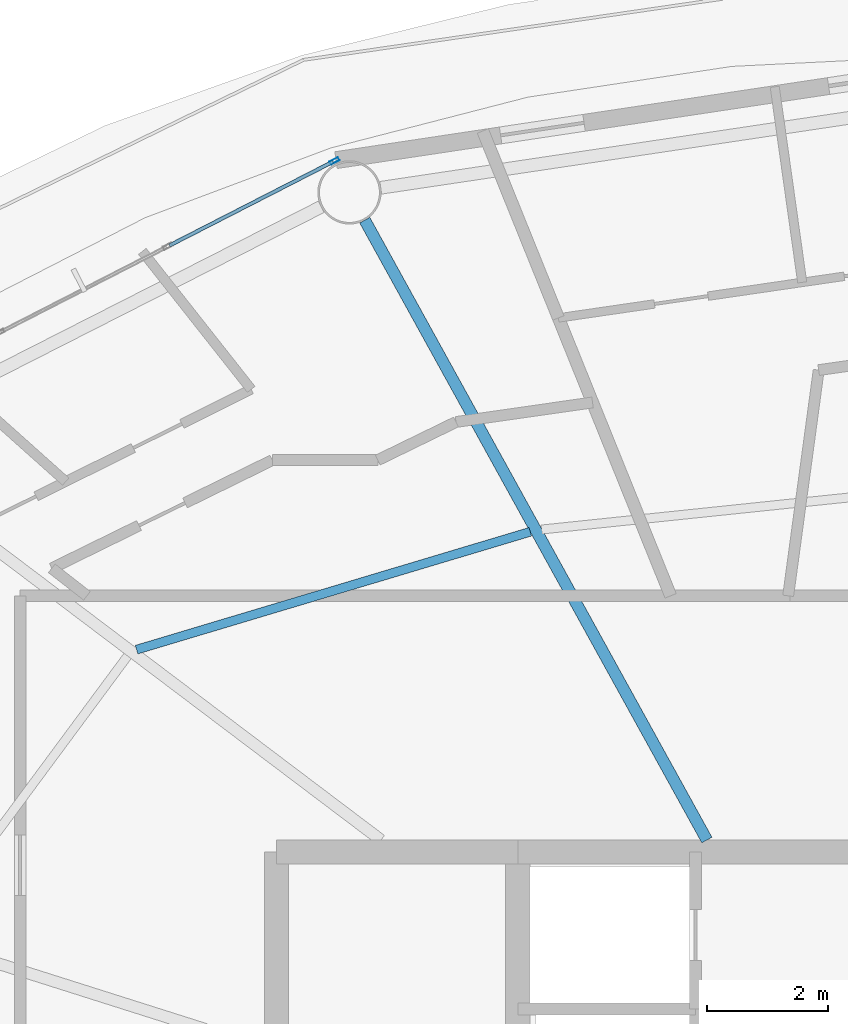
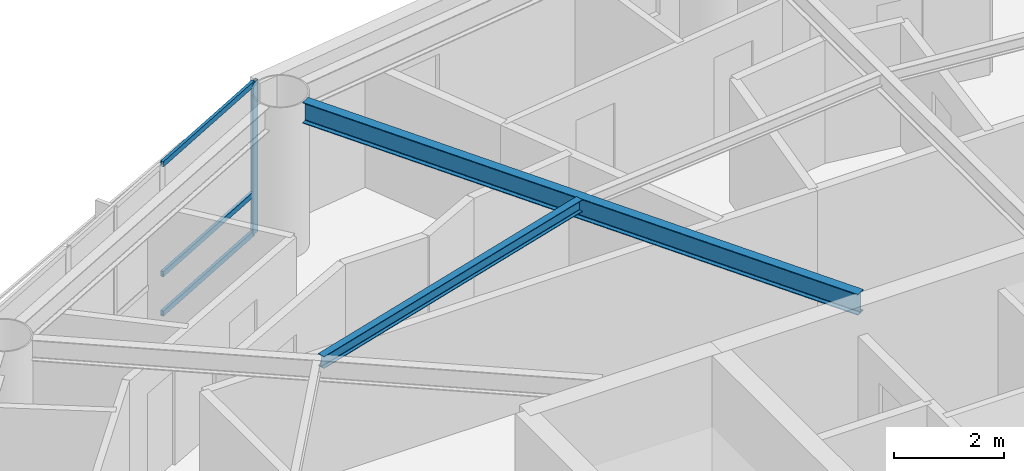
# One storey, part 9 of 23: 4 members, 2 beams, 1 element without a shape of its own.
"""IFC4 building model written with IfcOpenShell, lengths in metres."""

from ifc_helpers import new_model, si_unit, direction, frame, origin, origin_2d, place, context, subcontext, project, spatial, hollow_rectangle, i_section, extrude, material, layer, layer_set, material_profile, profile_set, type_object, element, aggregate, save


model = new_model("IFC4")

# Units and contexts
model_context = context("Model", 3, precision=1e-05, world=origin(), true_north=direction((0.0, 1.0)))
body_context = subcontext(model_context, "Body", "Model", "MODEL_VIEW")
ifc_project = project(units=[si_unit("LENGTHUNIT", "METRE"), si_unit("AREAUNIT", "SQUARE_METRE"), si_unit("VOLUMEUNIT", "CUBIC_METRE"), si_unit("PLANEANGLEUNIT", "RADIAN"), si_unit("MASSUNIT", "GRAM", prefix="KILO")], contexts=[model_context])

# Site, building, storey
site_placement = place(None, origin())
site = spatial("IfcSite", under=ifc_project, at=site_placement, CompositionType="ELEMENT")
building_placement = place(site_placement, origin())
building = spatial("IfcBuilding", under=site, at=building_placement, Name="Sarneth Arch Tower", CompositionType="ELEMENT")
storey_placement = place(building_placement, frame((0.0, 0.0, 235.199951171875)))
storey = spatial("IfcBuildingStorey", under=building, at=storey_placement, Name="L60", CompositionType="ELEMENT", Elevation=235.199951171875)

# Beams
ifc_material_1 = material(Name="Steel S355", Category="steel")
ifc_material_profile_1 = material_profile(ifc_material_1, i_section(OverallWidth=0.14794921875, OverallDepth=0.26611328125, WebThickness=0.007568359375, FlangeThickness=0.012939453125, FilletRadius=0.012939453125, at=origin_2d()), Name="W250x44.8")
ifc_profile_set_1 = profile_set([ifc_material_profile_1], Name="Steel S355")
beam_type_1 = type_object("IfcBeamType", Name="BM-JOIST-250", PredefinedType="JOIST", material=ifc_profile_set_1)
beam_1_placement = place(storey_placement, frame((41.20751953125, 54.11181640625, 3.22705078125), z_axis=(-0.957984908347, -0.286818610589, 0.0), x_axis=(0.286818610589, -0.957984908347, 0.0)))
element("IfcBeam", 1, at=beam_1_placement, inside=storey, type_object=beam_type_1, Name="L60 Secondary floor joist 06", PredefinedType="JOIST", context=body_context, shape_type="SweptSolid", body=[
    extrude(i_section(OverallWidth=0.14794921875, OverallDepth=0.26611328125, WebThickness=0.007568359375, FlangeThickness=0.012939453125, FilletRadius=0.012939453125, at=origin_2d()), origin(), (0.0, 0.0, 1.0), 6.81396484375),
])
ifc_material_2 = material(Name="Steel S355", Category="steel")
ifc_material_profile_2 = material_profile(ifc_material_2, i_section(OverallWidth=0.19189453125, OverallDepth=0.462890625, WebThickness=0.010498046875, FlangeThickness=0.017578125, FilletRadius=0.01806640625, at=origin_2d()), Name="W460x89")
ifc_profile_set_2 = profile_set([ifc_material_profile_2], Name="Steel S355")
beam_type_2 = type_object("IfcBeamType", Name="BM-RAD-460B", PredefinedType="BEAM", material=ifc_profile_set_2)
beam_2_placement = place(storey_placement, frame((44.13623046875, 49.0, 3.128662109375), z_axis=(-0.483225760768, 0.875495781903, 0.0), x_axis=(-0.875495781903, -0.483225760768, 0.0)))
element("IfcBeam", 2, at=beam_2_placement, inside=storey, type_object=beam_type_2, Name="L60 Radial floor girder 06", PredefinedType="BEAM", context=body_context, shape_type="SweptSolid", body=[
    extrude(i_section(OverallWidth=0.19189453125, OverallDepth=0.462890625, WebThickness=0.010498046875, FlangeThickness=0.017578125, FilletRadius=0.01806640625, at=origin_2d()), origin(), (0.0, 0.0, 1.0), 11.740478515625),
])

# Curtain wall, members
ifc_material_3 = material(Name="Anodised aluminium Type AA25 and solar-control low-e laminated IGU", Category="aluminium")
ifc_layer = layer(ifc_material_3, 0.179931640625)
ifc_layer_set = layer_set([ifc_layer], Name="Anodised aluminium Type AA25 and solar-control low-e laminated IGU")
curtain_wall_type = type_object("IfcCurtainWallType", Name="CW-RES-HIGH", PredefinedType="NOTDEFINED", material=ifc_layer_set)
curtain_wall_placement = place(storey_placement, origin())
curtain_wall = element("IfcCurtainWall", 3, at=curtain_wall_placement, inside=storey, type_object=curtain_wall_type, Name="L60 Unitised curtain wall facet 06", PredefinedType="NOTDEFINED")
ifc_material_4 = material(Name="Anodised Aluminium 6063-T6", Category="aluminium")
ifc_material_profile_3 = material_profile(ifc_material_4, hollow_rectangle(XDim=0.06005859375, YDim=0.159912109375, WallThickness=0.00390625, at=origin_2d()), Name="AL-MULL-160x60x4")
ifc_profile_set_3 = profile_set([ifc_material_profile_3], Name="Anodised Aluminium 6063-T6")
member_type_1 = type_object("IfcMemberType", Name="CW-MULLION", PredefinedType="MULLION", material=ifc_profile_set_3)
member_1_placement = place(storey_placement, frame((37.960693359375, 60.2607421875, 0.0), z_axis=(0.0, 0.0, 1.0), x_axis=(0.455941901753, -0.890009540525, 0.0)))
member_1 = element("IfcMember", 4, at=member_1_placement, type_object=member_type_1, Name="CW-SYS-6 mullion 1", PredefinedType="MULLION", context=body_context, shape_type="SweptSolid", body=[
    extrude(hollow_rectangle(XDim=0.06005859375, YDim=0.159912109375, WallThickness=0.00390625, at=origin_2d()), origin(), (0.0, 0.0, 1.0), 3.360107421875),
])
ifc_material_5 = material(Name="Anodised Aluminium 6063-T6", Category="aluminium")
ifc_material_profile_4 = material_profile(ifc_material_5, hollow_rectangle(XDim=0.06005859375, YDim=0.1201171875, WallThickness=0.00390625, at=origin_2d()), Name="AL-TRAN-120x60x4")
ifc_profile_set_4 = profile_set([ifc_material_profile_4], Name="Anodised Aluminium 6063-T6")
member_type_2 = type_object("IfcMemberType", Name="CW-TRANSOM", PredefinedType="USERDEFINED", material=ifc_profile_set_4)
member_2_placement = place(storey_placement, frame((37.933837890625, 60.2470703125, 0.030029296875), z_axis=(-0.889973523166, -0.456012201662, 0.0), x_axis=(0.456012201662, -0.889973523166, 0.0)))
member_2 = element("IfcMember", 5, at=member_2_placement, type_object=member_type_2, Name="CW-SYS-6 transom 1.1", ObjectType="TRANSOM", PredefinedType="USERDEFINED", context=body_context, shape_type="SweptSolid", body=[
    extrude(hollow_rectangle(XDim=0.06005859375, YDim=0.1201171875, WallThickness=0.00390625, at=origin_2d()), origin(), (0.0, 0.0, 1.0), 3.044677734375),
])
member_3_placement = place(storey_placement, frame((37.933837890625, 60.2470703125, 0.900146484375), z_axis=(-0.889973523166, -0.456012201662, 0.0), x_axis=(0.456012201662, -0.889973523166, 0.0)))
member_3 = element("IfcMember", 6, at=member_3_placement, type_object=member_type_2, Name="CW-SYS-6 transom 1.2", ObjectType="TRANSOM", PredefinedType="USERDEFINED", context=body_context, shape_type="SweptSolid", body=[
    extrude(hollow_rectangle(XDim=0.06005859375, YDim=0.1201171875, WallThickness=0.00390625, at=origin_2d()), origin(), (0.0, 0.0, 1.0), 3.044677734375),
])
member_4_placement = place(storey_placement, frame((37.933837890625, 60.2470703125, 3.330078125), z_axis=(-0.889973523166, -0.456012201662, 0.0), x_axis=(0.456012201662, -0.889973523166, 0.0)))
member_4 = element("IfcMember", 7, at=member_4_placement, type_object=member_type_2, Name="CW-SYS-6 transom 1.3", ObjectType="TRANSOM", PredefinedType="USERDEFINED", context=body_context, shape_type="SweptSolid", body=[
    extrude(hollow_rectangle(XDim=0.06005859375, YDim=0.1201171875, WallThickness=0.00390625, at=origin_2d()), origin(), (0.0, 0.0, 1.0), 3.044677734375),
])
aggregate(curtain_wall, [member_1, member_2, member_3, member_4])

save(model, "model.ifc")
